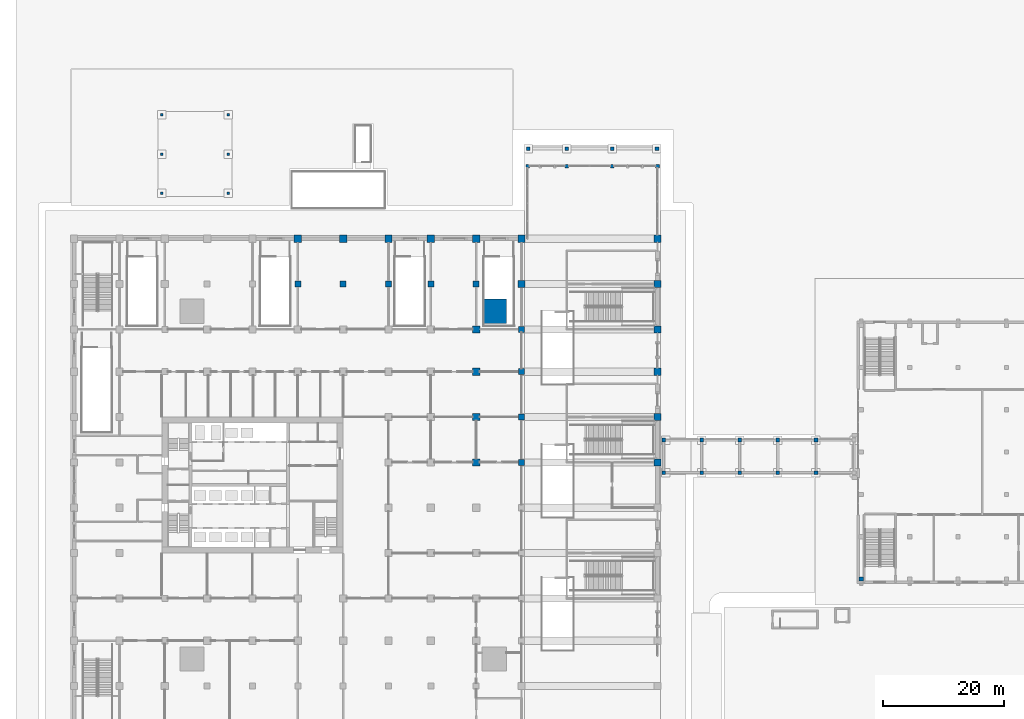
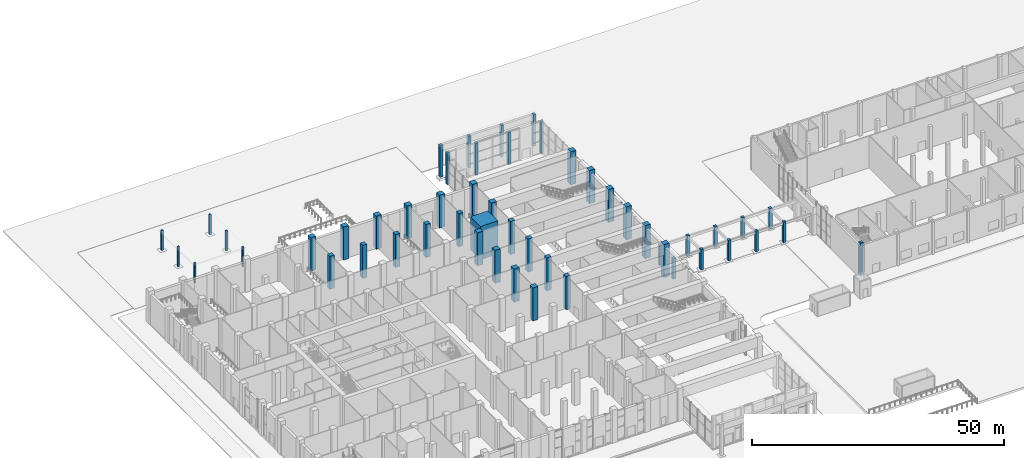
# One storey, part 2 of 57: 52 columns.
"""IFC4 building model written with IfcOpenShell, lengths in metres."""

from ifc_helpers import new_model, si_unit, direction, frame, origin, origin_2d, place, context, subcontext, project, spatial, rectangle, extrude, material, material_profile, profile_set, type_object, element, save


model = new_model("IFC4")

# Units and contexts
model_context = context("Model", 3, precision=1e-05, world=origin(), true_north=direction((0.0, 1.0)))
body_context = subcontext(model_context, "Body", "Model", "MODEL_VIEW")
ifc_project = project(units=[si_unit("LENGTHUNIT", "METRE"), si_unit("AREAUNIT", "SQUARE_METRE"), si_unit("VOLUMEUNIT", "CUBIC_METRE"), si_unit("PLANEANGLEUNIT", "RADIAN"), si_unit("MASSUNIT", "GRAM", prefix="KILO")], contexts=[model_context])

# Site, building, storey
site_placement = place(None, origin())
site = spatial("IfcSite", under=ifc_project, at=site_placement, CompositionType="ELEMENT")
building_placement = place(site_placement, origin())
building = spatial("IfcBuilding", under=site, at=building_placement, Name="Tamorin Gate", CompositionType="ELEMENT")
storey_placement = place(building_placement, origin())
storey = spatial("IfcBuildingStorey", under=building, at=storey_placement, Name="L00", CompositionType="ELEMENT", Elevation=0.0)

# Columns
ifc_material_1 = material(Name="Concrete C40/50", Category="concrete")
ifc_material_profile_1 = material_profile(ifc_material_1, rectangle(XDim=0.60009765625, YDim=0.60009765625, at=origin_2d()))
ifc_profile_set_1 = profile_set([ifc_material_profile_1], Name="Concrete C40/50")
column_type_1 = type_object("IfcColumnType", Name="Pavilion column 600", PredefinedType="COLUMN", material=ifc_profile_set_1)
for number, where, z_axis, x_axis, name in (
    (1, (90.5, 124.0, 0.0), (0.0, 0.0, 1.0), (1.0, 0.0, 0.0), "Pavilion column"),
    (2, (97.0, 124.0, 0.0), (0.0, 0.0, 1.0), (1.0, 0.0, 0.0), "Pavilion column"),
    (3, (104.5, 124.0, 0.0), (0.0, 0.0, 1.0), (1.0, 0.0, 0.0), "Pavilion column"),
    (4, (112.0, 124.0, 0.0), (0.0, 0.0, 1.0), (1.0, 0.0, 0.0), "Pavilion column"),
):
    element("IfcColumn", number, at=place(storey_placement, frame(where, z_axis=z_axis, x_axis=x_axis)), inside=storey, type_object=column_type_1, Name=name, PredefinedType="COLUMN", context=body_context, shape_type="SweptSolid", body=[
        extrude(rectangle(XDim=0.60009765625, YDim=0.60009765625, at=origin_2d()), origin(), (0.0, 0.0, 1.0), 7.699951171875),
    ])
ifc_material_profile_2 = material_profile(ifc_material_1, rectangle(XDim=0.60009765625, YDim=0.60009765625, at=origin_2d()), Name="RC 600x600")
ifc_profile_set_2 = profile_set([ifc_material_profile_2], Name="Concrete C40/50")
column_type_2 = type_object("IfcColumnType", Name="Portal pier 600", PredefinedType="COLUMN", material=ifc_profile_set_2)
for number, where, z_axis, x_axis, name in (
    (5, (90.60009765625, 126.89990234375, 0.0), (0.0, 0.0, 1.0), (1.0, 0.0, 0.0), "Station entrance pier"),
    (6, (97.0, 126.89990234375, 0.0), (0.0, 0.0, 1.0), (1.0, 0.0, 0.0), "Station entrance pier"),
    (7, (104.5, 126.89990234375, 0.0), (0.0, 0.0, 1.0), (1.0, 0.0, 0.0), "Station entrance pier"),
    (8, (111.89990234375, 126.89990234375, 0.0), (0.0, 0.0, 1.0), (1.0, 0.0, 0.0), "Station entrance pier"),
):
    element("IfcColumn", number, at=place(storey_placement, frame(where, z_axis=z_axis, x_axis=x_axis)), inside=storey, type_object=column_type_2, Name=name, PredefinedType="COLUMN", context=body_context, shape_type="SweptSolid", body=[
        extrude(rectangle(XDim=0.60009765625, YDim=0.60009765625, at=origin_2d()), origin(), (0.0, 0.0, 1.0), 7.699951171875),
    ])
ifc_material_2 = material(Name="Concrete C80/95", Category="concrete")
ifc_material_profile_3 = material_profile(ifc_material_2, rectangle(XDim=1.0, YDim=1.0, at=origin_2d()), Name="RC 1000x1000")
ifc_profile_set_3 = profile_set([ifc_material_profile_3], Name="Concrete C80/95")
column_type_3 = type_object("IfcColumnType", Name="RC column 1000x1000 C80/95", PredefinedType="COLUMN", material=ifc_profile_set_3)
for number, where, z_axis, x_axis, name in (
    (9, (52.5, 104.5, 0.0), (0.0, 0.0, 1.0), (1.0, 0.0, 0.0), "Ring column L00"),
    (10, (60.0, 104.5, 0.0), (0.0, 0.0, 1.0), (1.0, 0.0, 0.0), "Ring column L00"),
    (11, (67.5, 104.5, 0.0), (0.0, 0.0, 1.0), (1.0, 0.0, 0.0), "Ring column L00"),
    (12, (74.5, 104.5, 0.0), (0.0, 0.0, 1.0), (1.0, 0.0, 0.0), "Ring column L00"),
    (13, (82.0, 104.5, 0.0), (0.0, 0.0, 1.0), (1.0, 0.0, 0.0), "Ring column L00"),
    (14, (89.5, 75.0, 0.0), (0.0, 0.0, 1.0), (1.0, 0.0, 0.0), "Ring column L00"),
    (15, (89.5, 82.5, 0.0), (0.0, 0.0, 1.0), (1.0, 0.0, 0.0), "Ring column L00"),
    (16, (89.5, 90.0, 0.0), (0.0, 0.0, 1.0), (1.0, 0.0, 0.0), "Ring column L00"),
    (17, (89.5, 97.0, 0.0), (0.0, 0.0, 1.0), (1.0, 0.0, 0.0), "Ring column L00"),
):
    element("IfcColumn", number, at=place(storey_placement, frame(where, z_axis=z_axis, x_axis=x_axis)), inside=storey, type_object=column_type_3, Name=name, PredefinedType="COLUMN", context=body_context, shape_type="SweptSolid", body=[
        extrude(rectangle(XDim=1.0, YDim=1.0, at=origin_2d()), origin(), (0.0, 0.0, 1.0), 8.0),
    ])
ifc_material_profile_4 = material_profile(ifc_material_2, rectangle(XDim=1.199951171875, YDim=1.199951171875, at=origin_2d()), Name="RC 1200x1200")
ifc_profile_set_4 = profile_set([ifc_material_profile_4], Name="Concrete C80/95")
column_type_4 = type_object("IfcColumnType", Name="RC column 1200x1200 C80/95", PredefinedType="COLUMN", material=ifc_profile_set_4)
for number, where, z_axis, x_axis, name in (
    (18, (82.0, 75.0, 0.0), (0.0, 0.0, 1.0), (1.0, 0.0, 0.0), "Interior column L00"),
    (19, (82.0, 82.5, 0.0), (0.0, 0.0, 1.0), (1.0, 0.0, 0.0), "Interior column L00"),
    (20, (82.0, 90.0, 0.0), (0.0, 0.0, 1.0), (1.0, 0.0, 0.0), "Interior column L00"),
    (21, (82.0, 97.0, 0.0), (0.0, 0.0, 1.0), (1.0, 0.0, 0.0), "Interior column L00"),
    (22, (52.5, 112.0, 0.0), (0.0, 0.0, 1.0), (1.0, 0.0, 0.0), "Podium column L00"),
    (23, (60.0, 112.0, 0.0), (0.0, 0.0, 1.0), (1.0, 0.0, 0.0), "Podium column L00"),
    (24, (67.5, 112.0, 0.0), (0.0, 0.0, 1.0), (1.0, 0.0, 0.0), "Podium column L00"),
    (25, (74.5, 112.0, 0.0), (0.0, 0.0, 1.0), (1.0, 0.0, 0.0), "Podium column L00"),
    (26, (82.0, 112.0, 0.0), (0.0, 0.0, 1.0), (1.0, 0.0, 0.0), "Podium column L00"),
    (27, (89.5, 104.5, 0.0), (0.0, 0.0, 1.0), (1.0, 0.0, 0.0), "Podium column L00"),
    (28, (89.5, 112.0, 0.0), (0.0, 0.0, 1.0), (1.0, 0.0, 0.0), "Podium column L00"),
    (29, (112.0, 75.0, 0.0), (0.0, 0.0, 1.0), (1.0, 0.0, 0.0), "Podium column L00"),
    (30, (112.0, 82.5, 0.0), (0.0, 0.0, 1.0), (1.0, 0.0, 0.0), "Podium column L00"),
    (31, (112.0, 90.0, 0.0), (0.0, 0.0, 1.0), (1.0, 0.0, 0.0), "Podium column L00"),
    (32, (112.0, 97.0, 0.0), (0.0, 0.0, 1.0), (1.0, 0.0, 0.0), "Podium column L00"),
    (33, (112.0, 104.5, 0.0), (0.0, 0.0, 1.0), (1.0, 0.0, 0.0), "Podium column L00"),
    (34, (112.0, 112.0, 0.0), (0.0, 0.0, 1.0), (1.0, 0.0, 0.0), "Podium column L00"),
):
    element("IfcColumn", number, at=place(storey_placement, frame(where, z_axis=z_axis, x_axis=x_axis)), inside=storey, type_object=column_type_4, Name=name, PredefinedType="COLUMN", context=body_context, shape_type="SweptSolid", body=[
        extrude(rectangle(XDim=1.199951171875, YDim=1.199951171875, at=origin_2d()), origin(), (0.0, 0.0, 1.0), 8.0),
    ])
ifc_material_profile_5 = material_profile(ifc_material_2, rectangle(XDim=4.0, YDim=4.0, at=origin_2d()), Name="RC 4000x4000")
ifc_profile_set_5 = profile_set([ifc_material_profile_5], Name="Concrete C80/95")
column_type_5 = type_object("IfcColumnType", Name="RC column 4000x4000 C80/95", PredefinedType="COLUMN", material=ifc_profile_set_5)
column_1_placement = place(storey_placement, frame((85.0, 100.0, 0.0), z_axis=(0.0, 0.0, 1.0), x_axis=(1.0, 0.0, 0.0)))
element("IfcColumn", 35, at=column_1_placement, inside=storey, type_object=column_type_5, Name="Mega column NE L00", PredefinedType="COLUMN", context=body_context, shape_type="SweptSolid", body=[
    extrude(rectangle(XDim=4.0, YDim=4.0, at=origin_2d()), origin(), (0.0, 0.0, 1.0), 8.0),
])
ifc_material_profile_6 = material_profile(ifc_material_1, rectangle(XDim=0.39990234375, YDim=0.39990234375, at=origin_2d()))
ifc_profile_set_6 = profile_set([ifc_material_profile_6], Name="Concrete C40/50")
column_type_6 = type_object("IfcColumnType", Name="RC column 400x400 C40/50", PredefinedType="COLUMN", material=ifc_profile_set_6)
for number, where, z_axis, x_axis, name in (
    (36, (30.0, 119.5, 0.0), (0.0, 0.0, 1.0), (1.0, 0.0, 0.0), "Canopy column"),
    (37, (41.0, 119.5, 0.0), (0.0, 0.0, 1.0), (1.0, 0.0, 0.0), "Canopy column"),
    (38, (30.0, 132.5, 0.0), (0.0, 0.0, 1.0), (1.0, 0.0, 0.0), "Canopy column"),
    (39, (41.0, 132.5, 0.0), (0.0, 0.0, 1.0), (1.0, 0.0, 0.0), "Canopy column"),
    (40, (30.0, 126.0, 0.0), (0.0, 0.0, 1.0), (1.0, 0.0, 0.0), "Canopy column"),
    (41, (41.0, 126.0, 0.0), (0.0, 0.0, 1.0), (1.0, 0.0, 0.0), "Canopy column"),
):
    element("IfcColumn", number, at=place(storey_placement, frame(where, z_axis=z_axis, x_axis=x_axis)), inside=storey, type_object=column_type_6, Name=name, PredefinedType="COLUMN", context=body_context, shape_type="SweptSolid", body=[
        extrude(rectangle(XDim=0.39990234375, YDim=0.39990234375, at=origin_2d()), origin(), (0.0, 0.0, 1.0), 4.800048828125),
    ])
ifc_material_profile_7 = material_profile(ifc_material_1, rectangle(XDim=0.60009765625, YDim=0.60009765625, at=origin_2d()))
ifc_profile_set_7 = profile_set([ifc_material_profile_7], Name="Concrete C40/50")
column_type_7 = type_object("IfcColumnType", Name="RC column 600x600 C40/50", PredefinedType="COLUMN", material=ifc_profile_set_7)
for number, where, z_axis, x_axis, name in (
    (42, (113.0, 73.300048828125, 0.0), (0.0, 0.0, 1.0), (1.0, 0.0, 0.0), "Arcade pier"),
    (43, (113.0, 78.699951171875, 0.0), (0.0, 0.0, 1.0), (1.0, 0.0, 0.0), "Arcade pier"),
    (44, (119.300048828125, 73.300048828125, 0.0), (0.0, 0.0, 1.0), (1.0, 0.0, 0.0), "Arcade pier"),
    (45, (119.300048828125, 78.699951171875, 0.0), (0.0, 0.0, 1.0), (1.0, 0.0, 0.0), "Arcade pier"),
    (46, (125.60009765625, 73.300048828125, 0.0), (0.0, 0.0, 1.0), (1.0, 0.0, 0.0), "Arcade pier"),
    (47, (125.60009765625, 78.699951171875, 0.0), (0.0, 0.0, 1.0), (1.0, 0.0, 0.0), "Arcade pier"),
    (48, (131.89990234375, 73.300048828125, 0.0), (0.0, 0.0, 1.0), (1.0, 0.0, 0.0), "Arcade pier"),
    (49, (131.89990234375, 78.699951171875, 0.0), (0.0, 0.0, 1.0), (1.0, 0.0, 0.0), "Arcade pier"),
    (50, (138.199951171875, 73.300048828125, 0.0), (0.0, 0.0, 1.0), (1.0, 0.0, 0.0), "Arcade pier"),
    (51, (138.199951171875, 78.699951171875, 0.0), (0.0, 0.0, 1.0), (1.0, 0.0, 0.0), "Arcade pier"),
):
    element("IfcColumn", number, at=place(storey_placement, frame(where, z_axis=z_axis, x_axis=x_axis)), inside=storey, type_object=column_type_7, Name=name, PredefinedType="COLUMN", context=body_context, shape_type="SweptSolid", body=[
        extrude(rectangle(XDim=0.60009765625, YDim=0.60009765625, at=origin_2d()), origin(), (0.0, 0.0, 1.0), 5.0),
    ])
ifc_material_3 = material(Name="Concrete C50/60", Category="concrete")
ifc_material_profile_8 = material_profile(ifc_material_3, rectangle(XDim=0.699951171875, YDim=0.699951171875, at=origin_2d()), Name="RC 700x700")
ifc_profile_set_8 = profile_set([ifc_material_profile_8], Name="Concrete C50/60")
column_type_8 = type_object("IfcColumnType", Name="RC column 700x700 C50/60", PredefinedType="COLUMN", material=ifc_profile_set_8)
column_2_placement = place(storey_placement, frame((145.699951171875, 55.699951171875, 0.0), z_axis=(0.0, 0.0, 1.0), x_axis=(1.0, 0.0, 0.0)))
element("IfcColumn", 52, at=column_2_placement, inside=storey, type_object=column_type_8, Name="Museum column L00", PredefinedType="COLUMN", context=body_context, shape_type="SweptSolid", body=[
    extrude(rectangle(XDim=0.699951171875, YDim=0.699951171875, at=origin_2d()), origin(), (0.0, 0.0, 1.0), 8.0),
])

save(model, "model.ifc")
